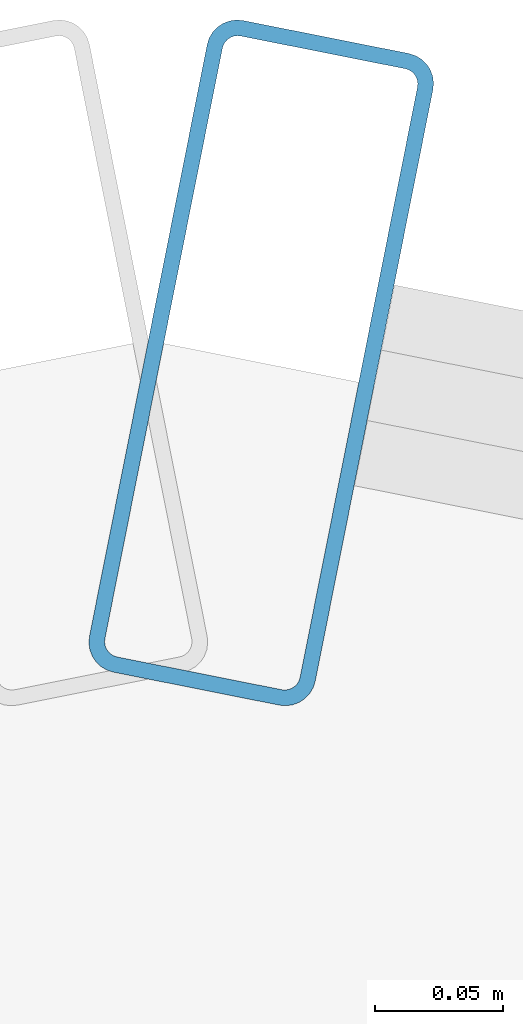
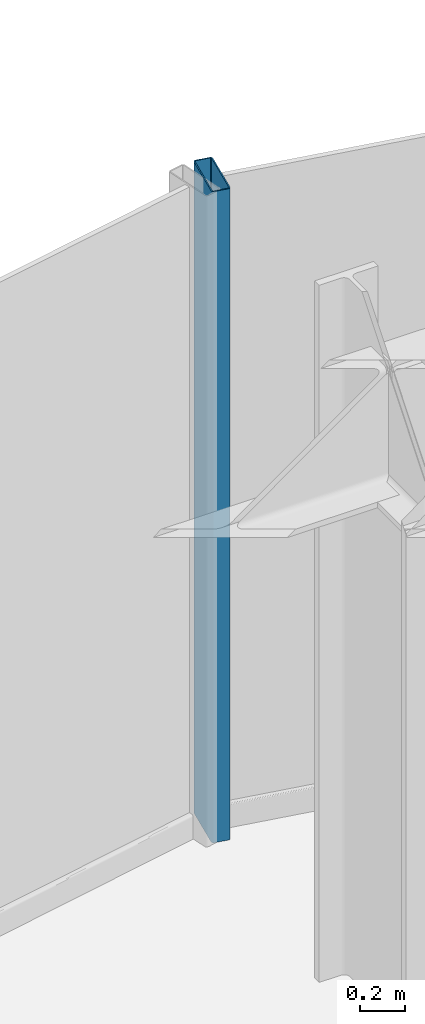
# One storey, part 18 of 27: 1 member, 1 element without a shape of its own.
"""IFC4 building model written with IfcOpenShell, lengths in metres."""

from ifc_helpers import new_model, si_unit, direction, frame, origin, origin_2d, place, context, subcontext, project, spatial, hollow_rectangle, extrude, source, transform, mapped, material, layer, layer_set, material_profile, profile_set, type_object, element, aggregate, save


model = new_model("IFC4")

# Units and contexts
model_context = context("Model", 3, precision=1e-05, world=origin(), true_north=direction((0.0, 1.0)))
body_context = subcontext(model_context, "Body", "Model", "MODEL_VIEW")
ifc_project = project(units=[si_unit("LENGTHUNIT", "METRE"), si_unit("AREAUNIT", "SQUARE_METRE"), si_unit("VOLUMEUNIT", "CUBIC_METRE"), si_unit("PLANEANGLEUNIT", "RADIAN"), si_unit("MASSUNIT", "GRAM", prefix="KILO")], contexts=[model_context])

# Site, building, storey
site_placement = place(None, origin())
site = spatial("IfcSite", under=ifc_project, at=site_placement, CompositionType="ELEMENT")
building_placement = place(site_placement, origin())
building = spatial("IfcBuilding", under=site, at=building_placement, Name="Nefas-Gora Pilgrimage Tower", CompositionType="ELEMENT")
storey_placement = place(building_placement, frame((0.0, 0.0, 183.0)))
storey = spatial("IfcBuildingStorey", under=building, at=storey_placement, Name="L45", CompositionType="ELEMENT", Elevation=183.0)

# Curtain wall, member
ifc_material_1 = material(Name="Dark ceramic-fritted solar-control aluminium-glass curtain wall", Category="aluminium")
ifc_layer = layer(ifc_material_1, 0.219970703125)
ifc_layer_set = layer_set([ifc_layer], Name="Dark ceramic-fritted solar-control aluminium-glass curtain wall")
curtain_wall_type = type_object("IfcCurtainWallType", Name="CW-SYS-5", PredefinedType="NOTDEFINED", material=ifc_layer_set)
curtain_wall_placement = place(storey_placement, origin())
curtain_wall = element("IfcCurtainWall", 1, at=curtain_wall_placement, inside=storey, type_object=curtain_wall_type, Name="L45 Unitised Curtain Wall CW5", PredefinedType="NOTDEFINED")
ifc_material_2 = material(Name="Anodised architectural aluminium", Category="aluminium")
ifc_material_profile = material_profile(ifc_material_2, hollow_rectangle(XDim=0.090087890625, YDim=0.260009765625, WallThickness=0.006103515625, InnerFilletRadius=0.006103515625, OuterFilletRadius=0.011962890625, at=origin_2d()), Name="ALU MULLION 90x260")
ifc_profile_set = profile_set([ifc_material_profile], Name="Anodised architectural aluminium")
member_type = type_object("IfcMemberType", Name="CWM-MUL-5", PredefinedType="MULLION", material=ifc_profile_set)
shared_shape = source(origin(), body_context, "Body", "SweptSolid", [
    extrude(hollow_rectangle(XDim=0.090087890625, YDim=0.260009765625, WallThickness=0.006103515625, InnerFilletRadius=0.006103515625, OuterFilletRadius=0.011962890625, at=origin_2d()), origin(), (0.0, 0.0, 1.0), 3.550048828125),
])
member_placement = place(storey_placement, frame((-2.205810546875, 24.16357421875, 0.0), z_axis=(0.0, 0.0, 1.0), x_axis=(-0.980782896852, 0.195102304554, 0.0)))
member = element("IfcMember", 2, at=member_placement, type_object=member_type, Name="CW5 Mullion 2", PredefinedType="MULLION", context=body_context, shape_type="MappedRepresentation", body=[
    mapped(shared_shape, transform((0.0, 0.0, 0.0), x_axis=(1.0, 0.0, 0.0), y_axis=(0.0, 1.0, 0.0), z_axis=(0.0, 0.0, 1.0), scale=1.0)),
])
aggregate(curtain_wall, [member])

save(model, "model.ifc")
